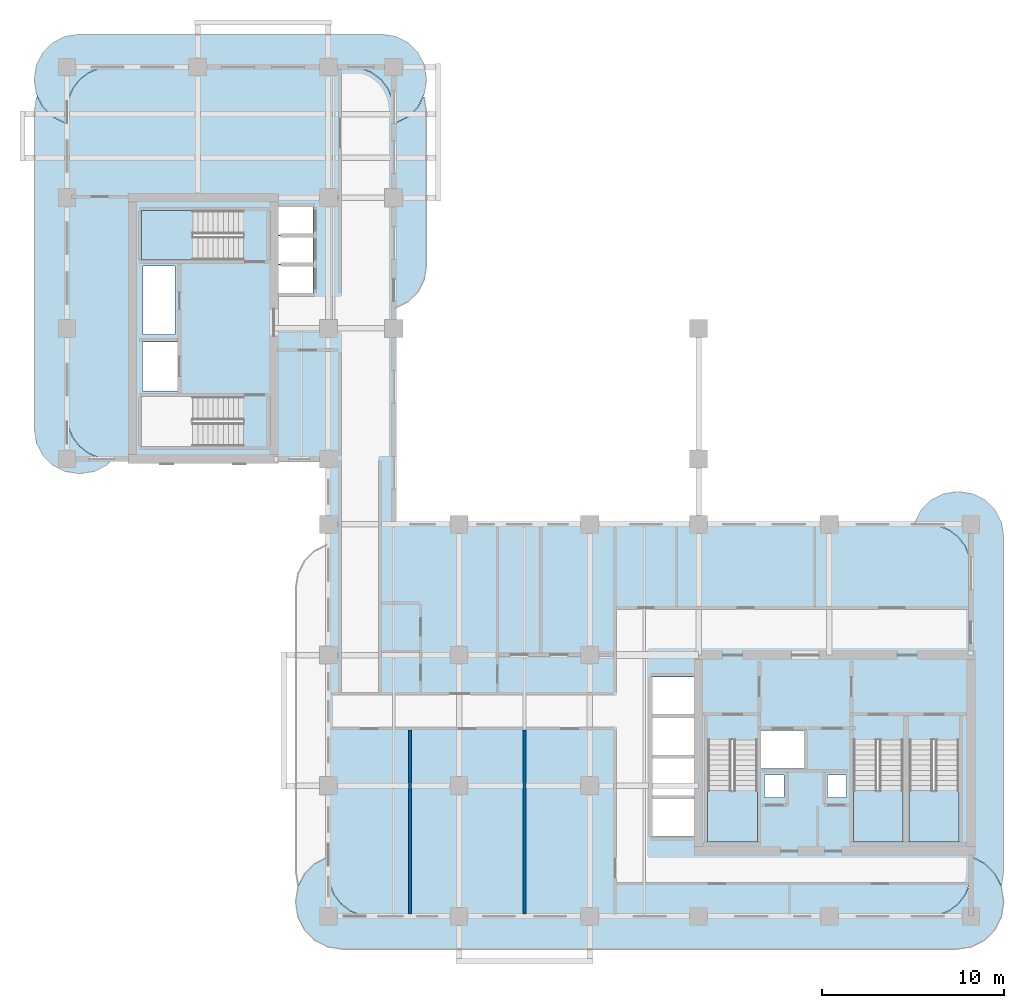
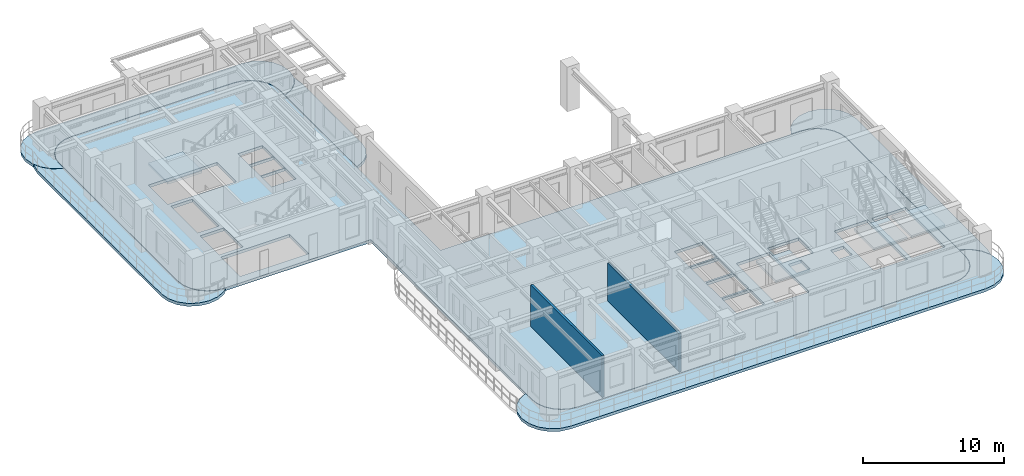
# One storey, part 3 of 13: 10 slabs, 2 walls, 4 elements without a shape of their own.
"""IFC4 building model written with IfcOpenShell, lengths in metres."""

from ifc_helpers import new_model, si_unit, derived_unit, direction, frame, frame_2d, origin, place, context, subcontext, project, spatial, polyline, rectangle, outline, extrude, material, layer, layer_set, type_object, element, aggregate, save


model = new_model("IFC4")

# Units and contexts
model_context = context("Model", 3, precision=1e-05, world=origin(), true_north=direction((0.0, 1.0)))
body_context = subcontext(model_context, "Body", "Model", "MODEL_VIEW")
ifc_project = project(units=[si_unit("LENGTHUNIT", "METRE"), si_unit("AREAUNIT", "SQUARE_METRE"), si_unit("VOLUMEUNIT", "CUBIC_METRE"), si_unit("PLANEANGLEUNIT", "RADIAN"), si_unit("MASSUNIT", "GRAM", prefix="KILO"), si_unit("THERMODYNAMICTEMPERATUREUNIT", "KELVIN"), si_unit("POWERUNIT", "WATT"), derived_unit("THERMALTRANSMITTANCEUNIT", [(si_unit("POWERUNIT", "WATT"), 1), (si_unit("AREAUNIT", "SQUARE_METRE"), -1), (si_unit("THERMODYNAMICTEMPERATUREUNIT", "KELVIN"), -1)])], contexts=[model_context])

# Site, building, storey
site_placement = place(None, origin())
site = spatial("IfcSite", under=ifc_project, at=site_placement, CompositionType="ELEMENT")
building_placement = place(site_placement, origin())
building = spatial("IfcBuilding", under=site, at=building_placement, Name="Zahravan Archway Hotel and Residences", CompositionType="ELEMENT")
storey_placement = place(building_placement, frame((0.0, 0.0, 181.10009765625)))
storey = spatial("IfcBuildingStorey", under=building, at=storey_placement, Name="L45", CompositionType="ELEMENT", Elevation=181.10009765625)

# Slabs
ifc_material_1 = material(Name="Concrete C45/55", Category="concrete")
ifc_layer_1 = layer(ifc_material_1, 0.25, Name="Concrete C45/55", Category="concrete")
ifc_layer_set_1 = layer_set([ifc_layer_1], Name="Concrete C45/55")
slab_type_1 = type_object("IfcSlabType", Name="SLB-BALC-250", PredefinedType="FLOOR", material=ifc_layer_set_1)
slab_1_placement = place(storey_placement, frame((0.0, 0.0, -0.25)))
element("IfcSlab", 1, at=slab_1_placement, inside=storey, type_object=slab_type_1, Name="L45 Wing A South Rounded Balcony Band", PredefinedType="FLOOR", context=body_context, shape_type="SweptSolid", body=[
    extrude(outline(polyline([(49.837890625, 3.275146484375), (50.548828125, 2.9130859375), (51.113037109375, 2.348876953125), (51.47509765625, 1.637939453125), (51.60009765625, 0.85009765625), (51.60009765625, 0.75), (51.47509765625, -0.0380859375), (51.113037109375, -0.748779296875), (50.548828125, -1.31298828125), (49.837890625, -1.67529296875), (49.050048828125, -1.800048828125), (15.14990234375, -1.800048828125), (14.362060546875, -1.67529296875), (13.651123046875, -1.31298828125), (13.0869140625, -0.748779296875), (12.724853515625, -0.0380859375), (12.60009765625, 0.75), (12.60009765625, 0.85009765625), (12.724853515625, 1.637939453125), (13.0869140625, 2.348876953125), (13.651123046875, 2.9130859375), (14.362060546875, 3.275146484375), (14.3798828125, 3.278076171875), (14.3798828125, 2.39990234375), (14.380126953125, 2.3974609375), (14.4619140625, 1.776123046875), (14.46240234375, 1.7744140625), (14.462646484375, 1.772705078125), (14.46337890625, 1.77099609375), (14.702880859375, 1.1923828125), (14.703857421875, 1.19091796875), (14.70458984375, 1.189208984375), (14.70556640625, 1.187744140625), (15.0869140625, 0.690673828125), (15.088134765625, 0.689453125), (15.08935546875, 0.688232421875), (15.0908203125, 0.68701171875), (15.587890625, 0.3056640625), (15.58935546875, 0.3046875), (15.5908203125, 0.3037109375), (15.59228515625, 0.302978515625), (16.171142578125, 0.063232421875), (16.1728515625, 0.062744140625), (16.174560546875, 0.062255859375), (16.17626953125, 0.06201171875), (16.79736328125, -0.019775390625), (16.800048828125, -0.02001953125), (47.39990234375, -0.02001953125), (47.402587890625, -0.019775390625), (48.023681640625, 0.06201171875), (48.025390625, 0.062255859375), (48.027099609375, 0.062744140625), (48.02880859375, 0.063232421875), (48.607666015625, 0.302978515625), (48.609130859375, 0.3037109375), (48.610595703125, 0.3046875), (48.6123046875, 0.3056640625), (49.109375, 0.68701171875), (49.110595703125, 0.688232421875), (49.11181640625, 0.689453125), (49.113037109375, 0.690673828125), (49.494384765625, 1.187744140625), (49.495361328125, 1.189208984375), (49.49609375, 1.19091796875), (49.4970703125, 1.1923828125), (49.73681640625, 1.77099609375), (49.7373046875, 1.772705078125), (49.73779296875, 1.7744140625), (49.738037109375, 1.776123046875), (49.81982421875, 2.3974609375), (49.820068359375, 2.39990234375), (49.820068359375, 3.278076171875), (49.837890625, 3.275146484375)])), origin(), (0.0, 0.0, 1.0), 0.25),
])
slab_2_placement = place(storey_placement, frame((0.0, 0.0, -0.25)))
element("IfcSlab", 2, at=slab_2_placement, inside=storey, type_object=slab_type_1, Name="L45 Wing A East Rounded Balcony Band", PredefinedType="FLOOR", context=body_context, shape_type="SweptSolid", body=[
    extrude(outline(polyline([(46.719970703125, 21.70703125), (47.06787109375, 22.39013671875), (47.60986328125, 22.93212890625), (48.29296875, 23.280029296875), (49.050048828125, 23.39990234375), (49.14990234375, 23.39990234375), (49.906982421875, 23.280029296875), (50.590087890625, 22.93212890625), (51.132080078125, 22.39013671875), (51.47998046875, 21.70703125), (51.60009765625, 20.949951171875), (51.60009765625, 2.449951171875), (51.47998046875, 1.69287109375), (51.474853515625, 1.6826171875), (51.130859375, 2.35791015625), (51.1298828125, 2.35986328125), (51.12841796875, 2.361572265625), (51.127197265625, 2.363037109375), (50.56298828125, 2.927001953125), (50.5615234375, 2.928466796875), (50.559814453125, 2.9296875), (50.55810546875, 2.930908203125), (49.84716796875, 3.29296875), (49.84521484375, 3.2939453125), (49.84326171875, 3.29443359375), (49.841064453125, 3.294921875), (49.822998046875, 3.2978515625), (49.8212890625, 3.298095703125), (49.820068359375, 3.298095703125), (49.820068359375, 19.199951171875), (49.81982421875, 19.20263671875), (49.738037109375, 19.82373046875), (49.73779296875, 19.825439453125), (49.7373046875, 19.8271484375), (49.73681640625, 19.828857421875), (49.4970703125, 20.40771484375), (49.49609375, 20.4091796875), (49.495361328125, 20.41064453125), (49.494384765625, 20.412109375), (49.113037109375, 20.9091796875), (49.11181640625, 20.91064453125), (49.110595703125, 20.911865234375), (49.109375, 20.9130859375), (48.6123046875, 21.29443359375), (48.610595703125, 21.29541015625), (48.609130859375, 21.296142578125), (48.607666015625, 21.297119140625), (48.02880859375, 21.53662109375), (48.027099609375, 21.537353515625), (48.025390625, 21.53759765625), (48.023681640625, 21.5380859375), (47.402587890625, 21.619873046875), (47.39990234375, 21.6201171875), (46.7060546875, 21.6201171875), (46.719970703125, 21.70703125)])), origin(), (0.0, 0.0, 1.0), 0.25),
])
slab_3_placement = place(storey_placement, frame((0.0, 0.0, -0.25)))
element("IfcSlab", 3, at=slab_3_placement, inside=storey, type_object=slab_type_1, Name="L45 Wing B North Rounded Balcony Band", PredefinedType="FLOOR", context=body_context, shape_type="SweptSolid", body=[
    extrude(outline(polyline([(-0.107177734375, 43.719970703125), (-0.7900390625, 44.06787109375), (-1.33203125, 44.60986328125), (-1.68017578125, 45.29296875), (-1.800048828125, 46.050048828125), (-1.800048828125, 46.14990234375), (-1.68017578125, 46.906982421875), (-1.33203125, 47.590087890625), (-0.7900390625, 48.132080078125), (-0.107177734375, 48.47998046875), (0.64990234375, 48.60009765625), (17.35009765625, 48.60009765625), (18.107177734375, 48.47998046875), (18.7900390625, 48.132080078125), (19.33203125, 47.590087890625), (19.68017578125, 46.906982421875), (19.800048828125, 46.14990234375), (19.800048828125, 46.050048828125), (19.68017578125, 45.29296875), (19.33203125, 44.60986328125), (18.7900390625, 44.06787109375), (18.107177734375, 43.719970703125), (18.02001953125, 43.7060546875), (18.02001953125, 44.39990234375), (18.019775390625, 44.402587890625), (17.93798828125, 45.023681640625), (17.937744140625, 45.025390625), (17.937255859375, 45.027099609375), (17.936767578125, 45.02880859375), (17.697021484375, 45.607666015625), (17.6962890625, 45.609130859375), (17.6953125, 45.610595703125), (17.6943359375, 45.6123046875), (17.31298828125, 46.109375), (17.311767578125, 46.110595703125), (17.310546875, 46.11181640625), (17.309326171875, 46.113037109375), (16.812255859375, 46.494384765625), (16.810791015625, 46.495361328125), (16.80908203125, 46.49609375), (16.8076171875, 46.4970703125), (16.22900390625, 46.73681640625), (16.227294921875, 46.7373046875), (16.2255859375, 46.73779296875), (16.223876953125, 46.738037109375), (15.6025390625, 46.81982421875), (15.60009765625, 46.820068359375), (2.39990234375, 46.820068359375), (2.3974609375, 46.81982421875), (1.776123046875, 46.738037109375), (1.7744140625, 46.73779296875), (1.772705078125, 46.7373046875), (1.77099609375, 46.73681640625), (1.1923828125, 46.4970703125), (1.19091796875, 46.49609375), (1.189208984375, 46.495361328125), (1.187744140625, 46.494384765625), (0.690673828125, 46.113037109375), (0.689453125, 46.11181640625), (0.688232421875, 46.110595703125), (0.68701171875, 46.109375), (0.3056640625, 45.6123046875), (0.3046875, 45.610595703125), (0.3037109375, 45.609130859375), (0.302978515625, 45.607666015625), (0.063232421875, 45.02880859375), (0.062744140625, 45.027099609375), (0.062255859375, 45.025390625), (0.06201171875, 45.023681640625), (-0.019775390625, 44.402587890625), (-0.02001953125, 44.39990234375), (-0.02001953125, 43.7060546875), (-0.107177734375, 43.719970703125)])), origin(), (0.0, 0.0, 1.0), 0.25),
])
slab_4_placement = place(storey_placement, frame((0.0, 0.0, -0.25)))
element("IfcSlab", 4, at=slab_4_placement, inside=storey, type_object=slab_type_1, Name="L45 Wing B West Rounded Balcony Band", PredefinedType="FLOOR", context=body_context, shape_type="SweptSolid", body=[
    extrude(outline(polyline([(2.190185546875, 24.867919921875), (1.507080078125, 24.52001953125), (0.75, 24.39990234375), (0.64990234375, 24.39990234375), (-0.107177734375, 24.52001953125), (-0.7900390625, 24.867919921875), (-1.33203125, 25.409912109375), (-1.68017578125, 26.093017578125), (-1.800048828125, 26.85009765625), (-1.800048828125, 44.35009765625), (-1.68017578125, 45.107177734375), (-1.64404296875, 45.177978515625), (-1.349853515625, 44.600830078125), (-1.348876953125, 44.59912109375), (-1.34765625, 44.597412109375), (-1.34619140625, 44.595703125), (-0.80419921875, 44.0537109375), (-0.802734375, 44.052490234375), (-0.801025390625, 44.051025390625), (-0.79931640625, 44.050048828125), (-0.1162109375, 43.7021484375), (-0.1142578125, 43.701171875), (-0.1123046875, 43.70068359375), (-0.110107421875, 43.7001953125), (-0.023193359375, 43.686279296875), (-0.021240234375, 43.68603515625), (-0.02001953125, 43.68603515625), (-0.02001953125, 27.60009765625), (-0.019775390625, 27.597412109375), (0.06201171875, 26.976318359375), (0.062255859375, 26.974609375), (0.062744140625, 26.972900390625), (0.063232421875, 26.97119140625), (0.302978515625, 26.392333984375), (0.3037109375, 26.390869140625), (0.3046875, 26.389404296875), (0.3056640625, 26.3876953125), (0.68701171875, 25.890625), (0.688232421875, 25.889404296875), (0.689453125, 25.88818359375), (0.690673828125, 25.886962890625), (1.187744140625, 25.505615234375), (1.189208984375, 25.504638671875), (1.19091796875, 25.50390625), (1.1923828125, 25.5029296875), (1.77099609375, 25.26318359375), (1.772705078125, 25.2626953125), (1.7744140625, 25.26220703125), (1.776123046875, 25.261962890625), (2.3974609375, 25.18017578125), (2.39990234375, 25.179931640625), (2.502197265625, 25.179931640625), (2.190185546875, 24.867919921875)])), origin(), (0.0, 0.0, 1.0), 0.25),
])
slab_5_placement = place(storey_placement, frame((0.0, 0.0, -0.25)))
element("IfcSlab", 5, at=slab_5_placement, inside=storey, type_object=slab_type_1, Name="L45 Wing B East Rounded Balcony Band", PredefinedType="FLOOR", context=body_context, shape_type="SweptSolid", body=[
    extrude(outline(polyline([(19.68017578125, 45.107177734375), (19.800048828125, 44.35009765625), (19.800048828125, 35.85009765625), (19.68017578125, 35.093017578125), (19.33203125, 34.409912109375), (18.7900390625, 33.867919921875), (18.107177734375, 33.52001953125), (18.02001953125, 33.506103515625), (18.02001953125, 43.68603515625), (18.021240234375, 43.68603515625), (18.023193359375, 43.686279296875), (18.110107421875, 43.7001953125), (18.1123046875, 43.70068359375), (18.1142578125, 43.701171875), (18.1162109375, 43.7021484375), (18.79931640625, 44.050048828125), (18.801025390625, 44.051025390625), (18.802734375, 44.052490234375), (18.80419921875, 44.0537109375), (19.34619140625, 44.595703125), (19.34765625, 44.597412109375), (19.348876953125, 44.59912109375), (19.349853515625, 44.600830078125), (19.64404296875, 45.177978515625), (19.68017578125, 45.107177734375)])), origin(), (0.0, 0.0, 1.0), 0.25),
])
ifc_layer_2 = layer(ifc_material_1, 0.25, Name="Concrete C45/55", Category="concrete")
ifc_layer_set_2 = layer_set([ifc_layer_2], Name="Concrete C45/55")
slab_type_2 = type_object("IfcSlabType", Name="SLB-FLR-250", PredefinedType="FLOOR", material=ifc_layer_set_2)
slab_6_placement = place(storey_placement, frame((0.0, 0.0, -0.25)))
element("IfcSlab", 6, at=slab_6_placement, inside=storey, type_object=slab_type_2, Name="L45 Floor Slab LB", PredefinedType="FLOOR", context=body_context, shape_type="SweptSolid", body=[
    extrude(outline(polyline([(18.0, 21.60009765625), (18.0, 27.60009765625), (18.0, 27.699951171875), (18.0, 44.39990234375), (17.918212890625, 45.021240234375), (17.678466796875, 45.60009765625), (17.297119140625, 46.09716796875), (16.800048828125, 46.478515625), (16.22119140625, 46.71826171875), (15.60009765625, 46.800048828125), (2.39990234375, 46.800048828125), (1.77880859375, 46.71826171875), (1.199951171875, 46.478515625), (0.702880859375, 46.09716796875), (0.321533203125, 45.60009765625), (0.081787109375, 45.021240234375), (0.0, 44.39990234375), (0.0, 27.60009765625), (0.081787109375, 26.978759765625), (0.321533203125, 26.39990234375), (0.702880859375, 25.90283203125), (1.199951171875, 25.521484375), (1.77880859375, 25.28173828125), (2.39990234375, 25.199951171875), (14.39990234375, 25.199951171875), (14.39990234375, 19.199951171875), (14.39990234375, 19.10009765625), (14.39990234375, 2.39990234375), (14.481689453125, 1.77880859375), (14.721435546875, 1.199951171875), (15.102783203125, 0.702880859375), (15.60009765625, 0.321533203125), (16.1787109375, 0.081787109375), (16.800048828125, 0.0), (47.39990234375, 0.0), (48.021240234375, 0.081787109375), (48.60009765625, 0.321533203125), (49.09716796875, 0.702880859375), (49.478515625, 1.199951171875), (49.71826171875, 1.77880859375), (49.800048828125, 2.39990234375), (49.800048828125, 19.199951171875), (49.71826171875, 19.8212890625), (49.478515625, 20.39990234375), (49.09716796875, 20.897216796875), (48.60009765625, 21.278564453125), (48.021240234375, 21.518310546875), (47.39990234375, 21.60009765625), (18.0, 21.60009765625)]), holes=[polyline([(35.300048828125, 9.72998046875), (35.300048828125, 4.10009765625), (38.0400390625, 4.10009765625), (38.0400390625, 9.72998046875), (35.300048828125, 9.72998046875)]), polyline([(43.320068359375, 9.72998046875), (43.320068359375, 4.10009765625), (46.06005859375, 4.10009765625), (46.06005859375, 9.72998046875), (43.320068359375, 9.72998046875)]), polyline([(46.39990234375, 9.72998046875), (46.39990234375, 4.10009765625), (49.139892578125, 4.10009765625), (49.139892578125, 9.72998046875), (46.39990234375, 9.72998046875)]), polyline([(9.72998046875, 28.639892578125), (4.10009765625, 28.639892578125), (4.10009765625, 25.89990234375), (9.72998046875, 25.89990234375), (9.72998046875, 28.639892578125)]), polyline([(9.72998046875, 38.89990234375), (4.10009765625, 38.89990234375), (4.10009765625, 36.159912109375), (9.72998046875, 36.159912109375), (9.72998046875, 38.89990234375)]), polyline([(38.179931640625, 8.14990234375), (40.699951171875, 8.14990234375), (40.699951171875, 10.25), (38.179931640625, 10.25), (38.179931640625, 8.14990234375)]), polyline([(4.14990234375, 28.949951171875), (6.10009765625, 28.949951171875), (6.10009765625, 31.64990234375), (4.14990234375, 31.64990234375), (4.14990234375, 28.949951171875)]), polyline([(11.550048828125, 34.35009765625), (13.550048828125, 34.35009765625), (13.550048828125, 35.889892578125), (11.550048828125, 35.889892578125), (11.550048828125, 34.35009765625)]), polyline([(11.550048828125, 35.949951171875), (13.550048828125, 35.949951171875), (13.550048828125, 37.489990234375), (11.550048828125, 37.489990234375), (11.550048828125, 35.949951171875)]), polyline([(11.550048828125, 37.550048828125), (13.550048828125, 37.550048828125), (13.550048828125, 39.090087890625), (11.550048828125, 39.090087890625), (11.550048828125, 37.550048828125)]), polyline([(32.25, 4.39990234375), (34.550048828125, 4.39990234375), (34.550048828125, 6.47998046875), (32.25, 6.47998046875), (32.25, 4.39990234375)]), polyline([(32.25, 6.639892578125), (34.550048828125, 6.639892578125), (34.550048828125, 8.719970703125), (32.25, 8.719970703125), (32.25, 6.639892578125)]), polyline([(32.25, 8.8798828125), (34.550048828125, 8.8798828125), (34.550048828125, 10.9599609375), (32.25, 10.9599609375), (32.25, 8.8798828125)]), polyline([(32.25, 11.1201171875), (34.550048828125, 11.1201171875), (34.550048828125, 13.199951171875), (32.25, 13.199951171875), (32.25, 11.1201171875)]), polyline([(38.419921875, 6.56005859375), (39.5, 6.56005859375), (39.5, 7.780029296875), (38.419921875, 7.780029296875), (38.419921875, 6.56005859375)]), polyline([(41.89990234375, 6.56005859375), (42.9599609375, 6.56005859375), (42.9599609375, 7.780029296875), (41.89990234375, 7.780029296875), (41.89990234375, 6.56005859375)]), polyline([(4.179931640625, 32.050048828125), (5.93994140625, 32.050048828125), (5.93994140625, 35.840087890625), (4.179931640625, 35.840087890625), (4.179931640625, 32.050048828125)])]), origin(), (0.0, 0.0, 1.0), 0.25),
])

# Stair, slab
ifc_material_2 = material(Name="Concrete C50/60", Category="concrete")
stair_type = type_object("IfcStairType", Name="STR-CORE-1300", PredefinedType="HALF_TURN_STAIR", material=ifc_material_2)
stair_1_placement = place(storey_placement, origin())
stair_1 = element("IfcStair", 7, at=stair_1_placement, inside=storey, type_object=stair_type, Name="L45 Core A Exit Stair 1", PredefinedType="HALF_TURN_STAIR")
ifc_layer_3 = layer(ifc_material_2, 0.199951171875, Name="Concrete C50/60", Category="concrete")
ifc_layer_set_3 = layer_set([ifc_layer_3], Name="Concrete C50/60")
slab_type_3 = type_object("IfcSlabType", Name="SLB-LND-200", PredefinedType="LANDING", material=ifc_layer_set_3)
slab_7_placement = place(storey_placement, frame((0.0, 0.0, 1.724853515625)))
slab_7 = element("IfcSlab", 8, at=slab_7_placement, type_object=slab_type_3, Name="ST-A1 landing 1", PredefinedType="LANDING", context=body_context, shape_type="SweptSolid", body=[
    extrude(outline(polyline([(35.300048828125, 6.929931640625), (35.300048828125, 4.10009765625), (38.0400390625, 4.10009765625), (38.0400390625, 6.929931640625), (35.300048828125, 6.929931640625)])), origin(), (0.0, 0.0, 1.0), 0.199951171875),
])
aggregate(stair_1, [slab_7])

stair_2_placement = place(storey_placement, origin())
stair_2 = element("IfcStair", 9, at=stair_2_placement, inside=storey, type_object=stair_type, Name="L45 Core A Exit Stair 2", PredefinedType="HALF_TURN_STAIR")
slab_8_placement = place(storey_placement, frame((0.0, 0.0, 1.724853515625)))
slab_8 = element("IfcSlab", 10, at=slab_8_placement, type_object=slab_type_3, Name="ST-A2 landing 1", PredefinedType="LANDING", context=body_context, shape_type="SweptSolid", body=[
    extrude(outline(polyline([(43.320068359375, 6.929931640625), (43.320068359375, 4.10009765625), (46.06005859375, 4.10009765625), (46.06005859375, 6.929931640625), (43.320068359375, 6.929931640625)])), origin(), (0.0, 0.0, 1.0), 0.199951171875),
])
aggregate(stair_2, [slab_8])

stair_3_placement = place(storey_placement, origin())
stair_3 = element("IfcStair", 11, at=stair_3_placement, inside=storey, type_object=stair_type, Name="L45 Core A Exit Stair 3", PredefinedType="HALF_TURN_STAIR")
slab_9_placement = place(storey_placement, frame((0.0, 0.0, 1.724853515625)))
slab_9 = element("IfcSlab", 12, at=slab_9_placement, type_object=slab_type_3, Name="ST-A3 landing 1", PredefinedType="LANDING", context=body_context, shape_type="SweptSolid", body=[
    extrude(outline(polyline([(46.39990234375, 6.929931640625), (46.39990234375, 4.10009765625), (49.139892578125, 4.10009765625), (49.139892578125, 6.929931640625), (46.39990234375, 6.929931640625)])), origin(), (0.0, 0.0, 1.0), 0.199951171875),
])
aggregate(stair_3, [slab_9])

stair_4_placement = place(storey_placement, origin())
stair_4 = element("IfcStair", 13, at=stair_4_placement, inside=storey, type_object=stair_type, Name="L45 Core B Exit Stair 2", PredefinedType="HALF_TURN_STAIR")
slab_10_placement = place(storey_placement, frame((0.0, 0.0, 1.724853515625)))
slab_10 = element("IfcSlab", 14, at=slab_10_placement, type_object=slab_type_3, Name="ST-B2 landing 1", PredefinedType="LANDING", context=body_context, shape_type="SweptSolid", body=[
    extrude(outline(polyline([(6.929931640625, 38.89990234375), (4.10009765625, 38.89990234375), (4.10009765625, 36.159912109375), (6.929931640625, 36.159912109375), (6.929931640625, 38.89990234375)])), origin(), (0.0, 0.0, 1.0), 0.199951171875),
])
aggregate(stair_4, [slab_10])

# Walls
ifc_material_3 = material(Name="Acoustic Stud Partition")
ifc_layer_4 = layer(ifc_material_3, 0.169921875, Name="Acoustic Stud Partition")
ifc_layer_set_4 = layer_set([ifc_layer_4], Name="Acoustic Stud Partition")
wall_type = type_object("IfcWallType", Name="PW-UNIT-170", PredefinedType="PARTITIONING", material=ifc_layer_set_4)
wall_1_placement = place(storey_placement, frame((18.89990234375, 0.14794921875, 0.0), z_axis=(0.0, 0.0, 1.0), x_axis=(0.0, 1.0, 0.0)))
element("IfcWall", 15, at=wall_1_placement, inside=storey, type_object=wall_type, Name="L45 Partition WAS-UP1A", PredefinedType="PARTITIONING", context=body_context, shape_type="SweptSolid", body=[
    extrude(rectangle(XDim=10.112060546875, YDim=0.169921875, at=frame_2d((5.05615234375, 0.0))), origin(), (0.0, 0.0, 1.0), 3.599853515625),
])
wall_2_placement = place(storey_placement, frame((25.199951171875, 0.14794921875, 0.0), z_axis=(0.0, 0.0, 1.0), x_axis=(0.0, 1.0, 0.0)))
element("IfcWall", 16, at=wall_2_placement, inside=storey, type_object=wall_type, Name="L45 Partition WAS-UP1B", PredefinedType="PARTITIONING", context=body_context, shape_type="SweptSolid", body=[
    extrude(rectangle(XDim=10.112060546875, YDim=0.169921875, at=frame_2d((5.05615234375, 0.0))), origin(), (0.0, 0.0, 1.0), 3.284912109375),
])

save(model, "model.ifc")
